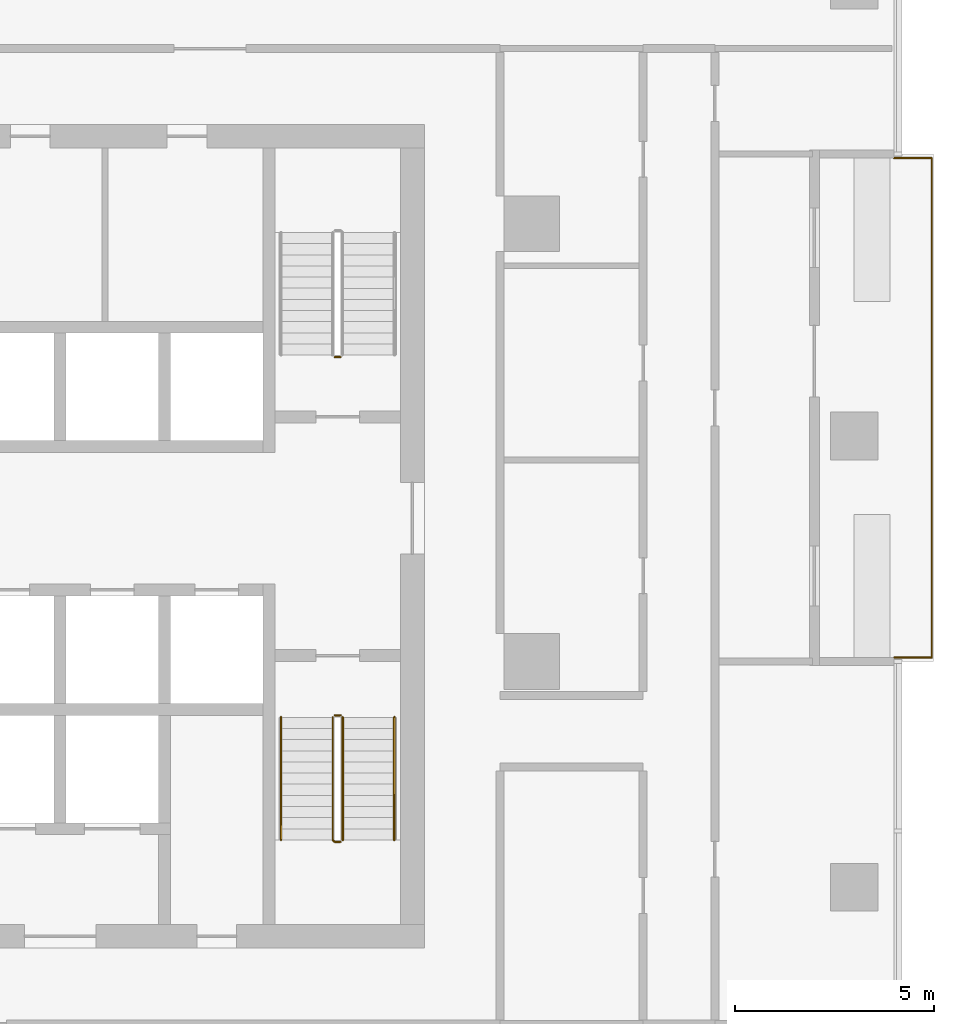
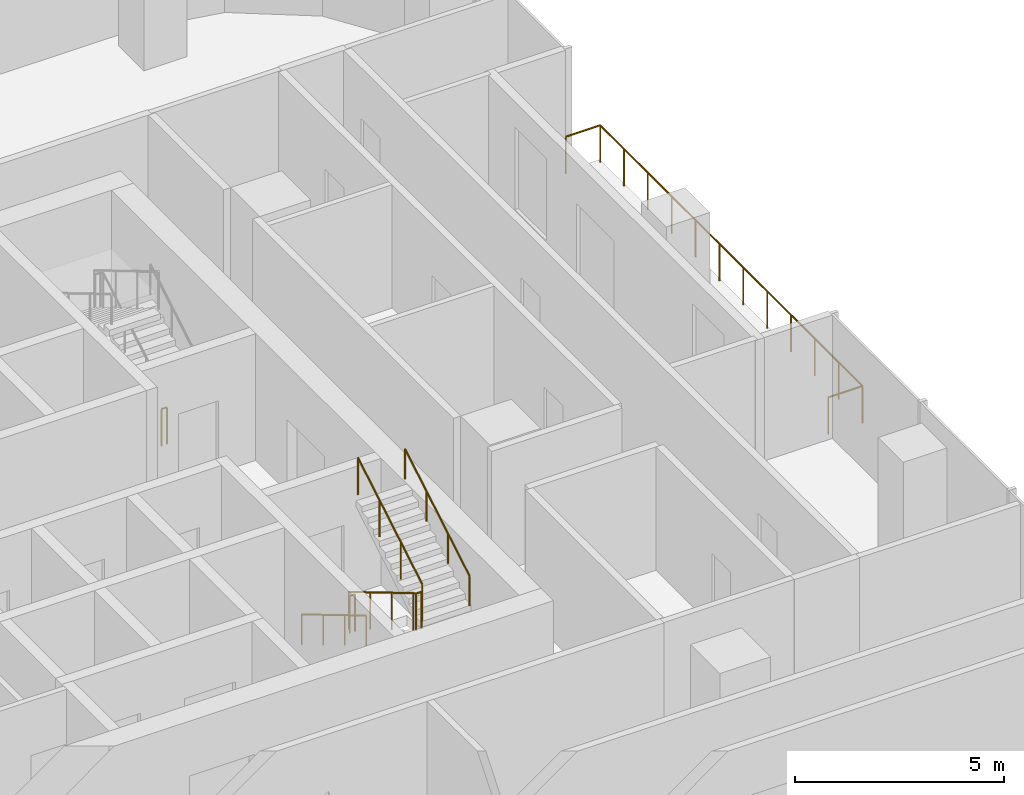
# One storey, part 14 of 15: 7 railings.
"""IFC4 building model written with IfcOpenShell, lengths in metres."""

from ifc_helpers import new_model, si_unit, direction, frame, origin, origin_2d, place, context, subcontext, project, spatial, circle, extrude, material, type_object, element, save


model = new_model("IFC4")

# Units and contexts
model_context = context("Model", 3, precision=1e-05, world=origin(), true_north=direction((0.0, 1.0)))
body_context = subcontext(model_context, "Body", "Model", "MODEL_VIEW")
ifc_project = project(units=[si_unit("LENGTHUNIT", "METRE"), si_unit("AREAUNIT", "SQUARE_METRE"), si_unit("VOLUMEUNIT", "CUBIC_METRE"), si_unit("PLANEANGLEUNIT", "RADIAN"), si_unit("MASSUNIT", "GRAM", prefix="KILO")], contexts=[model_context])

# Site, building, storey
site_placement = place(None, origin())
site = spatial("IfcSite", under=ifc_project, at=site_placement, CompositionType="ELEMENT")
building_placement = place(site_placement, origin())
building = spatial("IfcBuilding", under=site, at=building_placement, Name="Mopane Tessera Tower", CompositionType="ELEMENT")
storey_placement = place(building_placement, frame((0.0, 0.0, 177.0)))
storey = spatial("IfcBuildingStorey", under=building, at=storey_placement, Name="L36", CompositionType="ELEMENT", Elevation=177.0)

# Railings
ifc_material_1 = material(Name="Powder-coated steel balustrade", Category="steel")
railing_type_1 = type_object("IfcRailingType", Name="Escape stair guard 1100 mm", PredefinedType="GUARDRAIL", material=ifc_material_1)
railing_1_placement = place(storey_placement, frame((12.10009765625, -1.39990234375, 0.166748046875)))
element("IfcRailing", 1, at=railing_1_placement, inside=storey, type_object=railing_type_1, Name="L36 ST3 stair guard 1", PredefinedType="GUARDRAIL", context=body_context, shape_type="SweptSolid", body=[
    extrude(circle(Radius=0.02392578125, at=origin_2d()), frame((0.0, 0.0, 1.076171875), z_axis=(0.0, -0.859308565015, 0.511457515432), x_axis=(1.0, 0.0, 0.0)), (0.0, 0.0, 1.0), 3.58447265625),
    extrude(circle(Radius=0.02392578125, at=origin_2d()), frame((0.0, -3.080078125, 2.9091796875), z_axis=(0.705375805398, -0.708833529934, 0.0), x_axis=(0.708833529934, 0.705375805398, 0.0)), (0.0, 0.0, 1.0), 0.070556640625),
    extrude(circle(Radius=0.02392578125, at=origin_2d()), frame((0.0498046875, -3.130126953125, 2.9091796875), z_axis=(1.0, 0.0, 0.0), x_axis=(0.0, 1.0, 0.0)), (0.0, 0.0, 1.0), 0.150146484375),
    extrude(circle(Radius=0.02099609375, at=origin_2d()), origin(), (0.0, 0.0, 1.0), 1.052001953125),
    extrude(circle(Radius=0.02099609375, at=origin_2d()), frame((0.0, -1.026611328125, 0.611083984375)), (0.0, 0.0, 1.0), 1.052001953125),
    extrude(circle(Radius=0.02099609375, at=origin_2d()), frame((0.0, -2.053466796875, 1.22216796875)), (0.0, 0.0, 1.0), 1.052001953125),
    extrude(circle(Radius=0.02099609375, at=origin_2d()), frame((0.0, -3.080078125, 1.833251953125)), (0.0, 0.0, 1.0), 1.052001953125),
    extrude(circle(Radius=0.02099609375, at=origin_2d()), frame((0.0498046875, -3.130126953125, 1.833251953125)), (0.0, 0.0, 1.0), 1.052001953125),
    extrude(circle(Radius=0.02099609375, at=origin_2d()), frame((0.199951171875, -3.130126953125, 1.833251953125)), (0.0, 0.0, 1.0), 1.052001953125),
])
railing_2_placement = place(storey_placement, frame((12.35009765625, -4.47998046875, 2.166748046875)))
element("IfcRailing", 2, at=railing_2_placement, inside=storey, type_object=railing_type_1, Name="L36 ST3 stair guard 2", PredefinedType="GUARDRAIL", context=body_context, shape_type="SweptSolid", body=[
    extrude(circle(Radius=0.02392578125, at=origin_2d()), frame((0.0, 0.0, 1.076171875), z_axis=(0.0, 0.859308565015, 0.511457515432), x_axis=(-1.0, 0.0, 0.0)), (0.0, 0.0, 1.0), 3.58447265625),
    extrude(circle(Radius=0.02099609375, at=origin_2d()), origin(), (0.0, 0.0, 1.0), 1.052001953125),
    extrude(circle(Radius=0.02099609375, at=origin_2d()), frame((0.0, 1.026611328125, 0.611083984375)), (0.0, 0.0, 1.0), 1.052001953125),
    extrude(circle(Radius=0.02099609375, at=origin_2d()), frame((0.0, 2.053466796875, 1.22216796875)), (0.0, 0.0, 1.0), 1.052001953125),
    extrude(circle(Radius=0.02099609375, at=origin_2d()), frame((0.0, 3.080078125, 1.833251953125)), (0.0, 0.0, 1.0), 1.052001953125),
])
railing_3_placement = place(storey_placement, frame((12.14990234375, -1.35009765625, 0.0)))
element("IfcRailing", 3, at=railing_3_placement, inside=storey, type_object=railing_type_1, Name="L36 ST3 stair guard 3", PredefinedType="GUARDRAIL", context=body_context, shape_type="SweptSolid", body=[
    extrude(circle(Radius=0.02392578125, at=origin_2d()), frame((0.0, 0.0, 1.076171875), z_axis=(1.0, 0.0, 0.0), x_axis=(0.0, 1.0, 0.0)), (0.0, 0.0, 1.0), 0.150146484375),
    extrude(circle(Radius=0.02099609375, at=origin_2d()), origin(), (0.0, 0.0, 1.0), 1.052001953125),
    extrude(circle(Radius=0.02099609375, at=origin_2d()), frame((0.150146484375, 0.0, 0.0)), (0.0, 0.0, 1.0), 1.052001953125),
])
railing_4_placement = place(storey_placement, frame((12.300048828125, 7.64990234375, 0.0)))
element("IfcRailing", 4, at=railing_4_placement, inside=storey, type_object=railing_type_1, Name="L36 ST4 stair guard 3", PredefinedType="GUARDRAIL", context=body_context, shape_type="SweptSolid", body=[
    extrude(circle(Radius=0.02392578125, at=origin_2d()), frame((0.0, 0.0, 1.076171875), z_axis=(-1.0, 0.0, 0.0), x_axis=(0.0, -1.0, 0.0)), (0.0, 0.0, 1.0), 0.150146484375),
    extrude(circle(Radius=0.02099609375, at=origin_2d()), origin(), (0.0, 0.0, 1.0), 1.052001953125),
    extrude(circle(Radius=0.02099609375, at=origin_2d()), frame((-0.150146484375, 0.0, 0.0)), (0.0, 0.0, 1.0), 1.052001953125),
])
ifc_material_2 = material(Name="Powder-coated steel balustrade", Category="steel")
railing_type_2 = type_object("IfcRailingType", Name="Escape stair handrail 900 mm", PredefinedType="HANDRAIL", material=ifc_material_2)
railing_5_placement = place(storey_placement, frame((10.800048828125, -1.39990234375, 0.166748046875)))
element("IfcRailing", 5, at=railing_5_placement, inside=storey, type_object=railing_type_2, Name="L36 ST3 stair handrail 1", PredefinedType="HANDRAIL", context=body_context, shape_type="SweptSolid", body=[
    extrude(circle(Radius=0.02392578125, at=origin_2d()), frame((0.0, 0.0, 0.8759765625), z_axis=(0.0, -0.859308565015, 0.511457515432), x_axis=(1.0, 0.0, 0.0)), (0.0, 0.0, 1.0), 3.58447265625),
    extrude(circle(Radius=0.02099609375, at=origin_2d()), origin(), (0.0, 0.0, 1.0), 0.851806640625),
    extrude(circle(Radius=0.02099609375, at=origin_2d()), frame((0.0, -1.026611328125, 0.611083984375)), (0.0, 0.0, 1.0), 0.851806640625),
    extrude(circle(Radius=0.02099609375, at=origin_2d()), frame((0.0, -2.053466796875, 1.22216796875)), (0.0, 0.0, 1.0), 0.851806640625),
    extrude(circle(Radius=0.02099609375, at=origin_2d()), frame((0.0, -3.080078125, 1.833251953125)), (0.0, 0.0, 1.0), 0.851806640625),
])
railing_6_placement = place(storey_placement, frame((13.64990234375, -4.47998046875, 2.166748046875)))
element("IfcRailing", 6, at=railing_6_placement, inside=storey, type_object=railing_type_2, Name="L36 ST3 stair handrail 2", PredefinedType="HANDRAIL", context=body_context, shape_type="SweptSolid", body=[
    extrude(circle(Radius=0.02392578125, at=origin_2d()), frame((0.0, 0.0, 0.8759765625), z_axis=(0.0, 0.859308565015, 0.511457515432), x_axis=(-1.0, 0.0, 0.0)), (0.0, 0.0, 1.0), 3.58447265625),
    extrude(circle(Radius=0.02099609375, at=origin_2d()), origin(), (0.0, 0.0, 1.0), 0.851806640625),
    extrude(circle(Radius=0.02099609375, at=origin_2d()), frame((0.0, 1.026611328125, 0.611083984375)), (0.0, 0.0, 1.0), 0.851806640625),
    extrude(circle(Radius=0.02099609375, at=origin_2d()), frame((0.0, 2.053466796875, 1.22216796875)), (0.0, 0.0, 1.0), 0.851806640625),
    extrude(circle(Radius=0.02099609375, at=origin_2d()), frame((0.0, 3.080078125, 1.833251953125)), (0.0, 0.0, 1.0), 0.851806640625),
])
ifc_material_3 = material(Name="Stainless steel S316", Category="steel")
railing_type_3 = type_object("IfcRailingType", Name="Terrace guard 1100", PredefinedType="GUARDRAIL", material=ifc_material_3)
railing_7_placement = place(storey_placement, frame((26.199951171875, 0.10009765625, 0.0)))
element("IfcRailing", 7, at=railing_7_placement, inside=storey, type_object=railing_type_3, Name="e:nw:L36:N3:guard", PredefinedType="GUARDRAIL", context=body_context, shape_type="SweptSolid", body=[
    extrude(circle(Radius=0.02392578125, at=origin_2d()), frame((0.0, 0.0, 1.076171875), z_axis=(1.0, 0.0, 0.0), x_axis=(0.0, 1.0, 0.0)), (0.0, 0.0, 1.0), 0.949951171875),
    extrude(circle(Radius=0.02392578125, at=origin_2d()), frame((0.949951171875, 0.0, 1.076171875), z_axis=(0.0, 1.0, 0.0), x_axis=(-1.0, 0.0, 0.0)), (0.0, 0.0, 1.0), 12.5498046875),
    extrude(circle(Radius=0.02392578125, at=origin_2d()), frame((0.949951171875, 12.5498046875, 1.076171875), z_axis=(-1.0, 0.0, 0.0), x_axis=(0.0, -1.0, 0.0)), (0.0, 0.0, 1.0), 0.949951171875),
    extrude(circle(Radius=0.02099609375, at=origin_2d()), origin(), (0.0, 0.0, 1.0), 1.052001953125),
    extrude(circle(Radius=0.02099609375, at=origin_2d()), frame((0.949951171875, 0.0, 0.0)), (0.0, 0.0, 1.0), 1.052001953125),
    extrude(circle(Radius=0.02099609375, at=origin_2d()), frame((0.949951171875, 1.140869140625, 0.0)), (0.0, 0.0, 1.0), 1.052001953125),
    extrude(circle(Radius=0.02099609375, at=origin_2d()), frame((0.949951171875, 2.28173828125, 0.0)), (0.0, 0.0, 1.0), 1.052001953125),
    extrude(circle(Radius=0.02099609375, at=origin_2d()), frame((0.949951171875, 3.422607421875, 0.0)), (0.0, 0.0, 1.0), 1.052001953125),
    extrude(circle(Radius=0.02099609375, at=origin_2d()), frame((0.949951171875, 4.5634765625, 0.0)), (0.0, 0.0, 1.0), 1.052001953125),
    extrude(circle(Radius=0.02099609375, at=origin_2d()), frame((0.949951171875, 5.704345703125, 0.0)), (0.0, 0.0, 1.0), 1.052001953125),
    extrude(circle(Radius=0.02099609375, at=origin_2d()), frame((0.949951171875, 6.845458984375, 0.0)), (0.0, 0.0, 1.0), 1.052001953125),
    extrude(circle(Radius=0.02099609375, at=origin_2d()), frame((0.949951171875, 7.986328125, 0.0)), (0.0, 0.0, 1.0), 1.052001953125),
    extrude(circle(Radius=0.02099609375, at=origin_2d()), frame((0.949951171875, 9.127197265625, 0.0)), (0.0, 0.0, 1.0), 1.052001953125),
    extrude(circle(Radius=0.02099609375, at=origin_2d()), frame((0.949951171875, 10.26806640625, 0.0)), (0.0, 0.0, 1.0), 1.052001953125),
    extrude(circle(Radius=0.02099609375, at=origin_2d()), frame((0.949951171875, 11.408935546875, 0.0)), (0.0, 0.0, 1.0), 1.052001953125),
    extrude(circle(Radius=0.02099609375, at=origin_2d()), frame((0.949951171875, 12.5498046875, 0.0)), (0.0, 0.0, 1.0), 1.052001953125),
    extrude(circle(Radius=0.02099609375, at=origin_2d()), frame((0.0, 12.5498046875, 0.0)), (0.0, 0.0, 1.0), 1.052001953125),
])

save(model, "model.ifc")
